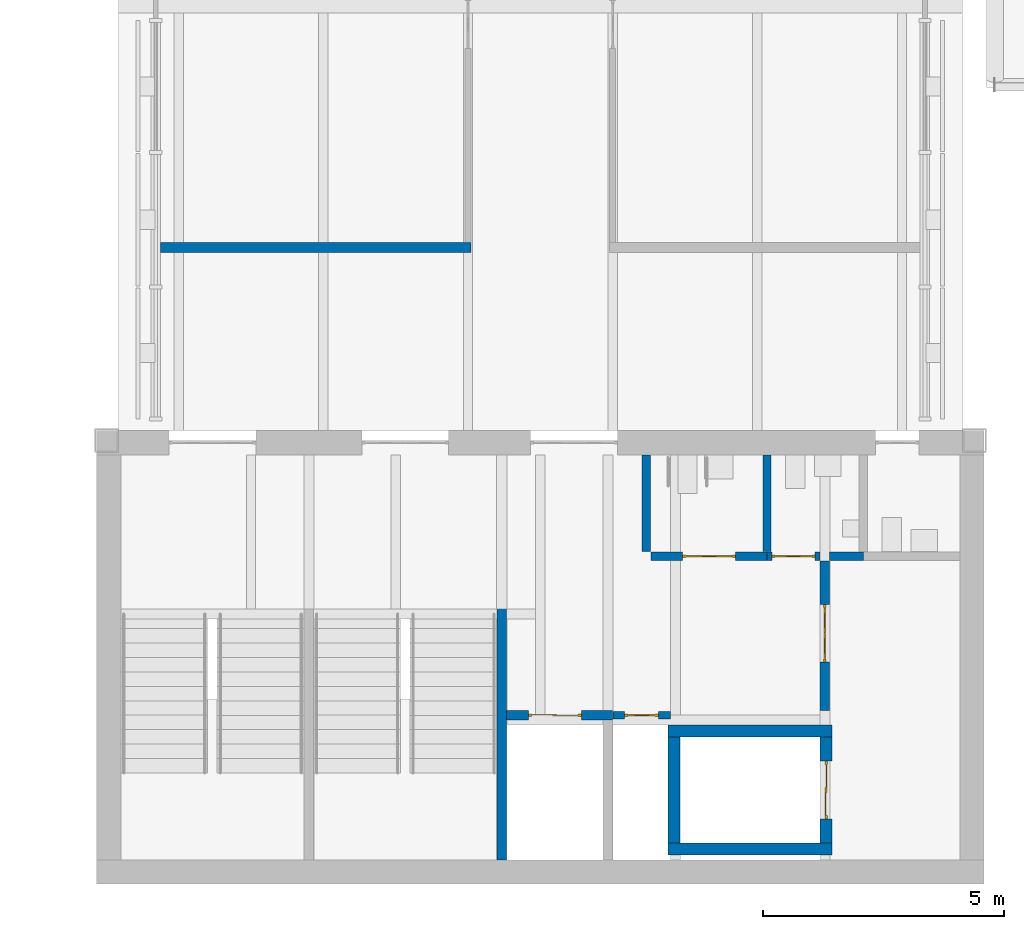
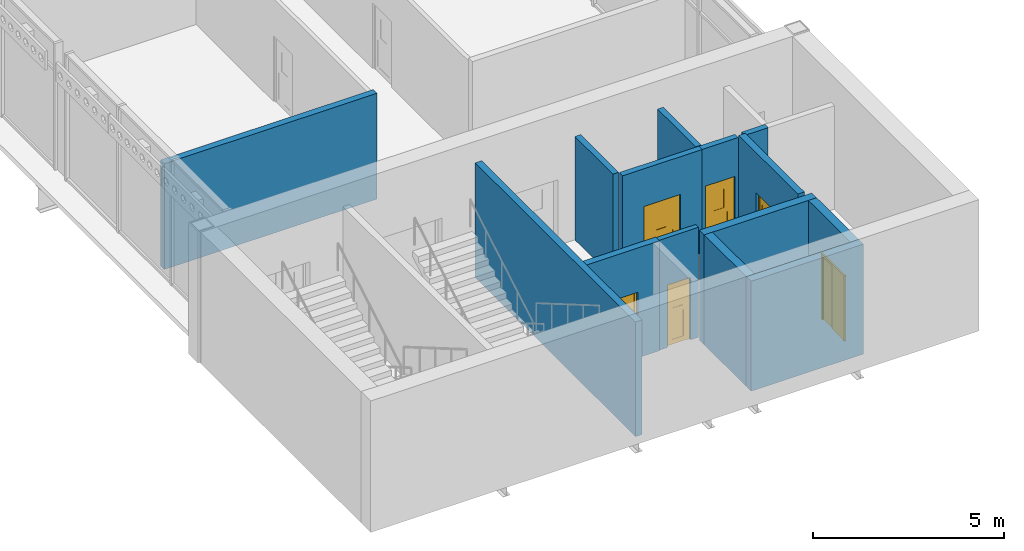
# One storey, part 22 of 54: 14 walls, 6 doors, 6 openings.
"""IFC4 building model written with IfcOpenShell, lengths in metres."""

import ifcopenshell
import ifcopenshell.guid

model = None  # the IFC model being written
_history = None  # IfcOwnerHistory: only IFC2X3 demands one
_inside = {}  # id of a spatial element -> (the spatial element, [elements in it])
_under = {}  # id of a project, library or spatial element -> (it, [spatial elements below it])
_declared = {}  # id of a project -> (the project, [libraries it declares])
_typed = {}  # id of a type object -> (the type object, [elements of that type])
_made_of = {}  # id of a material, layer set ... -> (it, [elements and type objects made of it])


def new_model(schema):
    """Start an empty IFC model of exactly this schema.

    Asked for "IFC4X3", IfcOpenShell would pick the latest addendum, in which some entities
    have other attributes; the version numbers below select the first issue.
    IFC2X3 requires an IfcOwnerHistory on every rooted entity: one is made here for all.
    """
    global model, _history
    if schema == "IFC4X3":
        model = ifcopenshell.file(schema_version=(4, 3, 0, 0))
    else:
        model = ifcopenshell.file(schema=schema)
    _inside.clear()
    _under.clear()
    _declared.clear()
    _typed.clear()
    _made_of.clear()
    _history = None
    if model.schema == "IFC2X3":
        org = make("IfcOrganization", Name="unknown")
        user = make(
            "IfcPersonAndOrganization",
            ThePerson=make("IfcPerson", FamilyName="unknown"),
            TheOrganization=org,
        )
        app = make(
            "IfcApplication",
            ApplicationDeveloper=org,
            Version="unknown",
            ApplicationFullName="unknown",
            ApplicationIdentifier="unknown",
        )
        _history = make(
            "IfcOwnerHistory",
            OwningUser=user,
            OwningApplication=app,
            ChangeAction="ADDED",
            CreationDate=0,
        )
    return model


def make(cls, **values):
    """One entity of the class cls with the attributes given. An attribute that is None is left unset."""
    return model.create_entity(
        cls, **{name: value for name, value in values.items() if value is not None}
    )


def rooted(cls, **values):
    """An entity with a GlobalId (a new one), such as an element, a storey or a relation."""
    return make(cls, GlobalId=ifcopenshell.guid.new(), OwnerHistory=_history, **values)


def si_unit(unit_type, name, prefix=None):
    """IfcSIUnit, for example si_unit("LENGTHUNIT", "METRE", prefix="MILLI")."""
    return make("IfcSIUnit", UnitType=unit_type, Prefix=prefix, Name=name)


def assignment(units):
    """IfcUnitAssignment: the units of a project."""
    return None if units is None else make("IfcUnitAssignment", Units=units)


def point(xyz):
    """IfcCartesianPoint."""
    return None if xyz is None else make("IfcCartesianPoint", Coordinates=xyz)


def direction(xyz):
    """IfcDirection."""
    return None if xyz is None else make("IfcDirection", DirectionRatios=xyz)


def frame(location, z_axis=None, x_axis=None):
    """IfcAxis2Placement3D, a coordinate frame: its origin and axes. An axis left out is left unset."""
    return make(
        "IfcAxis2Placement3D",
        Location=point(location),
        Axis=direction(z_axis),
        RefDirection=direction(x_axis),
    )


def frame_2d(location, x_axis=None):
    """IfcAxis2Placement2D, a coordinate frame in the plane: its origin and x axis."""
    return make(
        "IfcAxis2Placement2D", Location=point(location), RefDirection=direction(x_axis)
    )


def origin():
    """The frame at (0, 0, 0) with its axes left unset."""
    return frame((0.0, 0.0, 0.0))


def place(relative_to, where):
    """IfcLocalPlacement: puts the frame where relative to a parent placement (None: the world)."""
    return make(
        "IfcLocalPlacement", PlacementRelTo=relative_to, RelativePlacement=where
    )


def context(
    kind, dimensions, precision=None, world=None, true_north=None, identifier=None
):
    """IfcGeometricRepresentationContext, for example the 3D "Model" context."""
    return make(
        "IfcGeometricRepresentationContext",
        ContextIdentifier=identifier,
        ContextType=kind,
        CoordinateSpaceDimension=dimensions,
        Precision=precision,
        WorldCoordinateSystem=world,
        TrueNorth=true_north,
    )


def subcontext(parent, identifier, kind, view, scale=None):
    """IfcGeometricRepresentationSubContext, for example "Body" below "Model"."""
    return make(
        "IfcGeometricRepresentationSubContext",
        ContextIdentifier=identifier,
        ContextType=kind,
        ParentContext=parent,
        TargetScale=scale,
        TargetView=view,
    )


def project(units=None, contexts=None):
    """IfcProject with its units and contexts."""
    return rooted(
        "IfcProject",
        Name="project",
        RepresentationContexts=contexts,
        UnitsInContext=assignment(units),
    )


def spatial(cls, under=None, at=None, **own):
    """A site, building, storey or space (cls), placed at a placement, below another one or the project."""
    s = rooted(cls, ObjectPlacement=at, **own)
    if under is not None:
        _under.setdefault(under.id(), (under, []))[1].append(s)
    return s


def polyline(points):
    """IfcPolyline through the points."""
    return make("IfcPolyline", Points=[point(p) for p in points])


def profile(cls, at=None, kind="AREA", **sizes):
    """A parametric profile (cls). Its sizes go by their IFC names, for example OverallWidth=200.0."""
    return make(cls, ProfileType=kind, Position=at, **sizes)


def rectangle(**sizes):
    """IfcRectangleProfileDef."""
    return profile("IfcRectangleProfileDef", **sizes)


def outline(outer, holes=None, kind="AREA"):
    """IfcArbitraryClosedProfileDef: a profile drawn as a closed curve; with holes, ...WithVoids."""
    if holes is None:
        return make("IfcArbitraryClosedProfileDef", ProfileType=kind, OuterCurve=outer)
    return make(
        "IfcArbitraryProfileDefWithVoids",
        ProfileType=kind,
        OuterCurve=outer,
        InnerCurves=holes,
    )


def extrude(swept, where, along, depth):
    """IfcExtrudedAreaSolid: the profile swept, set in the frame where, extruded along a direction by depth."""
    return make(
        "IfcExtrudedAreaSolid",
        SweptArea=swept,
        Position=where,
        ExtrudedDirection=direction(along),
        Depth=depth,
    )


def shape(context_of_items, identifier, shape_type, items):
    """IfcShapeRepresentation: the items that make up one representation, for example the "Body"."""
    return make(
        "IfcShapeRepresentation",
        ContextOfItems=context_of_items,
        RepresentationIdentifier=identifier,
        RepresentationType=shape_type,
        Items=items,
    )


def material(Name=None, Category=None):
    """IfcMaterial."""
    return make("IfcMaterial", Name=Name, Category=Category)


def layer(
    of_material, thickness, ventilated=None, Name=None, Category=None, Priority=None
):
    """IfcMaterialLayer: one layer of a wall or slab, of a material (None: an air gap)."""
    return make(
        "IfcMaterialLayer",
        Material=of_material,
        LayerThickness=thickness,
        IsVentilated=ventilated,
        Name=Name,
        Category=Category,
        Priority=Priority,
    )


def layer_set(layers, Name=None):
    """IfcMaterialLayerSet."""
    return make("IfcMaterialLayerSet", MaterialLayers=layers, LayerSetName=Name)


def made_of(thing, what):
    """Note that an element or type object is made of a material, layer set ...; save() writes the relation."""
    if what is not None:
        _made_of.setdefault(what.id(), (what, []))[1].append(thing)
    return thing


def type_object(cls, material=None, **own):
    """A type object (cls), such as IfcWallType, which elements share."""
    return made_of(rooted(cls, **own), material)


def element(
    cls,
    number,
    at=None,
    inside=None,
    cuts=None,
    type_object=None,
    material=None,
    context=None,
    identifier="Body",
    shape_type=None,
    held_by="IfcProductDefinitionShape",
    body=None,
    shapes=None,
    **own,
):
    """One element of the class cls, such as IfcWall. Its Tag is "e" and its number.

    at: its placement. inside: the storey or other place that contains it. cuts: it is an
    opening in that element (IfcRelVoidsElement). A single representation is given by context,
    identifier, shape_type and body (its items); several are given by shapes. held_by: the class
    of the entity that holds the representations. save() writes the other relations.
    """
    e = rooted(cls, Tag="e%d" % number, ObjectPlacement=at, **own)
    if body is not None:
        shapes = [shape(context, identifier, shape_type, body)]
    if shapes is not None:
        e.Representation = make(held_by, Representations=shapes)
    if inside is not None:
        _inside.setdefault(inside.id(), (inside, []))[1].append(e)
    if cuts is not None:
        rooted(
            "IfcRelVoidsElement", RelatingBuildingElement=cuts, RelatedOpeningElement=e
        )
    if type_object is not None:
        _typed.setdefault(type_object.id(), (type_object, []))[1].append(e)
    return made_of(e, material)


def fill(opening, filler):
    """IfcRelFillsElement: the door or window that sits in an opening."""
    return rooted(
        "IfcRelFillsElement",
        RelatingOpeningElement=opening,
        RelatedBuildingElement=filler,
    )


def aggregate(whole, parts):
    """IfcRelAggregates: a whole, such as a stair, and the parts it consists of."""
    return rooted("IfcRelAggregates", RelatingObject=whole, RelatedObjects=parts)


def save(model, path):
    """Write the relations noted so far, then the file.

    IfcRelAggregates (storeys below a building ...), IfcRelContainedInSpatialStructure (elements
    in a storey), IfcRelDefinesByType, IfcRelAssociatesMaterial and IfcRelDeclares: one each for
    every whole, place, type object, material and project.
    """
    for whole, parts in _under.values():
        aggregate(whole, parts)
    for where, things in _inside.values():
        rooted(
            "IfcRelContainedInSpatialStructure",
            RelatedElements=things,
            RelatingStructure=where,
        )
    for kind, things in _typed.values():
        rooted("IfcRelDefinesByType", RelatedObjects=things, RelatingType=kind)
    for what, things in _made_of.values():
        rooted("IfcRelAssociatesMaterial", RelatedObjects=things, RelatingMaterial=what)
    for by, libraries in _declared.values():
        rooted("IfcRelDeclares", RelatingContext=by, RelatedDefinitions=libraries)
    model.write(path)


model = new_model("IFC4")

# Units and contexts
model_context = context("Model", 3, precision=1e-05, world=origin(), true_north=direction((0.0, 1.0)))
body_context = subcontext(model_context, "Body", "Model", "MODEL_VIEW")
ifc_project = project(units=[si_unit("LENGTHUNIT", "METRE"), si_unit("AREAUNIT", "SQUARE_METRE"), si_unit("VOLUMEUNIT", "CUBIC_METRE"), si_unit("PLANEANGLEUNIT", "RADIAN"), si_unit("MASSUNIT", "GRAM", prefix="KILO")], contexts=[model_context])

# Site, building, storey
site_placement = place(None, origin())
site = spatial("IfcSite", under=ifc_project, at=site_placement, CompositionType="ELEMENT")
building_placement = place(site_placement, origin())
building = spatial("IfcBuilding", under=site, at=building_placement, Name="Baradari Gate Terminus", CompositionType="ELEMENT")
storey_placement = place(building_placement, frame((0.0, 0.0, 15.89990234375)))
storey = spatial("IfcBuildingStorey", under=building, at=storey_placement, Name="L03", CompositionType="ELEMENT", Elevation=15.89990234375)

# Walls
ifc_material_1 = material(Name="Concrete C32/40", Category="concrete")
ifc_layer_1 = layer(ifc_material_1, 0.25)
ifc_layer_set_1 = layer_set([ifc_layer_1], Name="Concrete C32/40")
wall_type_1 = type_object("IfcWallType", Name="Firefighting lift shaft wall SH-2 250 EI 120", PredefinedType="SOLIDWALL", material=ifc_layer_set_1)
for number, where, z_axis, x_axis, name in (
    (1, (83.64990234375, 27.52490234375, 0.0), (0.0, 0.0, 1.0), (1.0, 0.0, 0.0), "Lift shaft wall LGS2 L03 S"),
    (2, (83.64990234375, 29.97509765625, 0.0), (0.0, 0.0, 1.0), (1.0, 0.0, 0.0), "Lift shaft wall LGS2 L03 N"),
):
    element("IfcWall", number, at=place(storey_placement, frame(where, z_axis=z_axis, x_axis=x_axis)), inside=storey, type_object=wall_type_1, Name=name, PredefinedType="SOLIDWALL", context=body_context, shape_type="SweptSolid", body=[
        extrude(rectangle(XDim=3.400146484375, YDim=0.25, at=frame_2d((1.7001953125, 0.0))), origin(), (0.0, 0.0, 1.0), 3.51611328125),
    ])
wall_1_placement = place(storey_placement, frame((83.77490234375, 27.64990234375, 0.0), z_axis=(0.0, 0.0, 1.0), x_axis=(0.0, 1.0, 0.0)))
element("IfcWall", 3, at=wall_1_placement, inside=storey, type_object=wall_type_1, Name="Lift shaft wall LGS2 L03 W", PredefinedType="SOLIDWALL", context=body_context, shape_type="SweptSolid", body=[
    extrude(rectangle(XDim=2.2001953125, YDim=0.25, at=frame_2d((1.10009765625, 0.0))), origin(), (0.0, 0.0, 1.0), 3.51611328125),
])

# Wall, opening, door
wall_2_placement = place(storey_placement, frame((86.925048828125, 27.64990234375, 0.0), z_axis=(0.0, 0.0, 1.0), x_axis=(0.0, 1.0, 0.0)))
wall_2 = element("IfcWall", 4, at=wall_2_placement, inside=storey, type_object=wall_type_1, Name="Lift shaft wall LGS2 L03 E", PredefinedType="SOLIDWALL", context=body_context, shape_type="SweptSolid", body=[
    extrude(rectangle(XDim=2.2001953125, YDim=0.25, at=frame_2d((1.10009765625, 0.0))), origin(), (0.0, 0.0, 1.0), 3.51611328125),
])
opening_1_placement = place(wall_2_placement, frame((0.5, 0.0, 0.0)))
opening_1 = element("IfcOpeningElement", 5, at=opening_1_placement, cuts=wall_2, Name="Opening D03-004", PredefinedType="OPENING", context=body_context, shape_type="SweptSolid", body=[
    extrude(rectangle(XDim=1.199951171875, YDim=2.10009765625, at=frame_2d((0.60009765625, 1.050048828125))), frame((0.0, 0.135009765625, 0.0), z_axis=(0.0, -1.0, 0.0), x_axis=(1.0, 0.0, 0.0)), (0.0, 0.0, 1.0), 0.27001953125),
])
ifc_material_2 = material(Name="Stainless steel 1.4301", Category="steel")
door_type_1 = type_object("IfcDoorType", Name="Lift landing door LD2 1200x2100 E 120", OperationType="SLIDING_TO_LEFT", PredefinedType="DOOR", material=ifc_material_2)
door_1_placement = place(opening_1_placement, origin())
door_1 = element("IfcDoor", 6, at=door_1_placement, inside=storey, type_object=door_type_1, Name="Lift landing door LGS2 L03", OperationType="SLIDING_TO_LEFT", OverallHeight=2.1, OverallWidth=1.2, PredefinedType="DOOR", context=body_context, shape_type="SweptSolid", body=[
    extrude(outline(polyline([(0.0, 0.0), (0.070068359375, 0.0), (0.070068359375, 2.030029296875), (1.1298828125, 2.030029296875), (1.1298828125, 0.0), (1.199951171875, 0.0), (1.199951171875, 2.10009765625), (0.0, 2.10009765625), (0.0, 0.0)])), frame((0.0, 0.02490234375, 0.0), z_axis=(0.0, -1.0, 0.0), x_axis=(1.0, 0.0, 0.0)), (0.0, 0.0, 1.0), 0.050048828125),
    extrude(rectangle(XDim=0.57861328125, YDim=2.01611328125, at=frame_2d((0.36328125, 1.01806640625))), frame((0.0, 0.017822265625, 0.0), z_axis=(0.0, -1.0, 0.0), x_axis=(1.0, 0.0, 0.0)), (0.0, 0.0, 1.0), 0.015869140625),
    extrude(rectangle(XDim=0.57470703125, YDim=2.01611328125, at=frame_2d((0.838623046875, 1.01806640625))), frame((0.0, -0.002197265625, 0.0), z_axis=(0.0, -1.0, 0.0), x_axis=(1.0, 0.0, 0.0)), (0.0, 0.0, 1.0), 0.015869140625),
])
fill(opening_1, door_1)

ifc_material_3 = material(Name="Blockwork wall, fire rated", Category="masonry")
ifc_layer_2 = layer(ifc_material_3, 0.199951171875)
ifc_layer_set_2 = layer_set([ifc_layer_2], Name="Blockwork wall, fire rated")
wall_type_2 = type_object("IfcWallType", Name="Lift shaft wall SH-1 200 EI 120", PredefinedType="SOLIDWALL", material=ifc_layer_set_2)
wall_3_placement = place(storey_placement, frame((80.302001953125, 30.300048828125, 0.0), z_axis=(0.0, 0.0, 1.0), x_axis=(1.0, 0.0, 0.0)))
wall_3 = element("IfcWall", 7, at=wall_3_placement, inside=storey, type_object=wall_type_2, Name="Lift shaft wall LGS1 L03 N", PredefinedType="SOLIDWALL", context=body_context, shape_type="SweptSolid", body=[
    extrude(rectangle(XDim=2.197998046875, YDim=0.199951171875, at=frame_2d((1.09912109375, 0.0))), origin(), (0.0, 0.0, 1.0), 3.51611328125),
])
opening_2_placement = place(wall_3_placement, frame((0.447998046875, 0.0, 0.0)))
opening_2 = element("IfcOpeningElement", 8, at=opening_2_placement, cuts=wall_3, Name="Opening D03-003", PredefinedType="OPENING", context=body_context, shape_type="SweptSolid", body=[
    extrude(rectangle(XDim=1.10009765625, YDim=2.10009765625, at=frame_2d((0.550048828125, 1.050048828125))), frame((0.0, 0.10986328125, 0.0), z_axis=(0.0, -1.0, 0.0), x_axis=(1.0, 0.0, 0.0)), (0.0, 0.0, 1.0), 0.219970703125),
])
ifc_material_4 = material(Name="Stainless steel 1.4301", Category="steel")
door_type_2 = type_object("IfcDoorType", Name="Lift landing door LD 1100x2100 E 120", OperationType="SLIDING_TO_LEFT", PredefinedType="DOOR", material=ifc_material_4)
door_2_placement = place(opening_2_placement, origin())
door_2 = element("IfcDoor", 9, at=door_2_placement, inside=storey, type_object=door_type_2, Name="Lift landing door LGS1 L03", OperationType="SLIDING_TO_LEFT", OverallHeight=2.1, OverallWidth=1.1, PredefinedType="DOOR", context=body_context, shape_type="SweptSolid", body=[
    extrude(outline(polyline([(0.0, 0.0), (0.070068359375, 0.0), (0.070068359375, 2.030029296875), (1.030029296875, 2.030029296875), (1.030029296875, 0.0), (1.10009765625, 0.0), (1.10009765625, 2.10009765625), (0.0, 2.10009765625), (0.0, 0.0)])), frame((0.0, 0.02490234375, 0.0), z_axis=(0.0, -1.0, 0.0), x_axis=(1.0, 0.0, 0.0)), (0.0, 0.0, 1.0), 0.050048828125),
    extrude(rectangle(XDim=0.523681640625, YDim=2.01611328125, at=frame_2d((0.3359375, 1.01806640625))), frame((0.0, 0.017822265625, 0.0), z_axis=(0.0, -1.0, 0.0), x_axis=(1.0, 0.0, 0.0)), (0.0, 0.0, 1.0), 0.015869140625),
    extrude(rectangle(XDim=0.519775390625, YDim=2.01611328125, at=frame_2d((0.76611328125, 1.01806640625))), frame((0.0, -0.002197265625, 0.0), z_axis=(0.0, -1.0, 0.0), x_axis=(1.0, 0.0, 0.0)), (0.0, 0.0, 1.0), 0.015869140625),
])
fill(opening_2, door_2)

ifc_material_5 = material(Name="Blockwork wall, plastered, fire rated", Category="masonry")
ifc_layer_3 = layer(ifc_material_5, 0.199951171875)
ifc_layer_set_3 = layer_set([ifc_layer_3], Name="Blockwork wall, plastered, fire rated")
wall_type_3 = type_object("IfcWallType", Name="Lobby partition PT-4 200 EI 60", PredefinedType="PARTITIONING", material=ifc_layer_set_3)
wall_4_placement = place(storey_placement, frame((86.89990234375, 33.5, 0.0), z_axis=(0.0, 0.0, 1.0), x_axis=(0.0, -1.0, 0.0)))
wall_4 = element("IfcWall", 10, at=wall_4_placement, inside=storey, type_object=wall_type_3, Name="PT-4 partition Lift Lobby / Lift Lobby (Fire-fighting)", PredefinedType="PARTITIONING", context=body_context, shape_type="SweptSolid", body=[
    extrude(rectangle(XDim=3.10009765625, YDim=0.199951171875, at=frame_2d((1.550048828125, 0.0))), origin(), (0.0, 0.0, 1.0), 3.382080078125),
])
opening_3_placement = place(wall_4_placement, frame((0.89990234375, 0.0, 0.0)))
opening_3 = element("IfcOpeningElement", 11, at=opening_3_placement, cuts=wall_4, Name="Opening D03-038", PredefinedType="OPENING", context=body_context, shape_type="SweptSolid", body=[
    extrude(rectangle(XDim=1.199951171875, YDim=2.10009765625, at=frame_2d((0.60009765625, 1.050048828125))), frame((0.0, 0.10986328125, 0.0), z_axis=(0.0, -1.0, 0.0), x_axis=(1.0, 0.0, 0.0)), (0.0, 0.0, 1.0), 0.219970703125),
])
ifc_material_6 = material(Name="Steel S275", Category="steel")
door_type_3 = type_object("IfcDoorType", Name="Fire door FI-1200-FD60S 1200x2100 FD60S", OperationType="DOUBLE_DOOR_SINGLE_SWING", PredefinedType="DOOR", material=ifc_material_6)
door_3_placement = place(opening_3_placement, origin())
door_3 = element("IfcDoor", 12, at=door_3_placement, inside=storey, type_object=door_type_3, Name="Door Lift Lobby (Fire-fighting)", OperationType="DOUBLE_DOOR_SINGLE_SWING", OverallHeight=2.1, OverallWidth=1.2, PredefinedType="DOOR", context=body_context, shape_type="SweptSolid", body=[
    extrude(outline(polyline([(0.0, 0.0), (0.070068359375, 0.0), (0.070068359375, 2.030029296875), (1.1298828125, 2.030029296875), (1.1298828125, 0.0), (1.199951171875, 0.0), (1.199951171875, 2.10009765625), (0.0, 2.10009765625), (0.0, 0.0)])), frame((0.0, 0.02490234375, 0.0), z_axis=(0.0, -1.0, 0.0), x_axis=(1.0, 0.0, 0.0)), (0.0, 0.0, 1.0), 0.050048828125),
    extrude(outline(polyline([(0.073974609375, 0.010009765625), (0.596923828125, 0.010009765625), (0.596923828125, 2.026123046875), (0.073974609375, 2.026123046875), (0.073974609375, 0.010009765625)]), holes=[polyline([(0.178466796875, 0.372802734375), (0.492431640625, 0.372802734375), (0.492431640625, 1.7841796875), (0.178466796875, 1.7841796875), (0.178466796875, 0.372802734375)])]), frame((0.0, 0.017333984375, 0.0), z_axis=(0.0, -1.0, 0.0), x_axis=(1.0, 0.0, 0.0)), (0.0, 0.0, 1.0), 0.034912109375),
    extrude(rectangle(XDim=0.31396484375, YDim=1.411376953125, at=frame_2d((0.33544921875, 1.07861328125))), frame((0.0, 0.008544921875, 0.0), z_axis=(0.0, -1.0, 0.0), x_axis=(1.0, 0.0, 0.0)), (0.0, 0.0, 1.0), 0.017333984375),
    extrude(outline(polyline([(0.60302734375, 0.010009765625), (1.1259765625, 0.010009765625), (1.1259765625, 2.026123046875), (0.60302734375, 2.026123046875), (0.60302734375, 0.010009765625)]), holes=[polyline([(0.70751953125, 0.372802734375), (1.021484375, 0.372802734375), (1.021484375, 1.7841796875), (0.70751953125, 1.7841796875), (0.70751953125, 0.372802734375)])]), frame((0.0, 0.017333984375, 0.0), z_axis=(0.0, -1.0, 0.0), x_axis=(1.0, 0.0, 0.0)), (0.0, 0.0, 1.0), 0.034912109375),
    extrude(rectangle(XDim=0.31396484375, YDim=1.411376953125, at=frame_2d((0.864501953125, 1.07861328125))), frame((0.0, 0.008544921875, 0.0), z_axis=(0.0, -1.0, 0.0), x_axis=(1.0, 0.0, 0.0)), (0.0, 0.0, 1.0), 0.017333984375),
])
fill(opening_3, door_3)

# Wall
wall_5_placement = place(storey_placement, frame((73.125, 40.0, 0.0), z_axis=(0.0, 0.0, 1.0), x_axis=(1.0, 0.0, 0.0)))
element("IfcWall", 13, at=wall_5_placement, inside=storey, type_object=wall_type_3, Name="PT-4 partition Lobby (Gate South) / Gate Office 3.01", PredefinedType="PARTITIONING", context=body_context, shape_type="SweptSolid", body=[
    extrude(rectangle(XDim=6.4375, YDim=0.199951171875, at=frame_2d((3.21875, 0.0))), origin(), (0.0, 0.0, 1.0), 3.382080078125),
])

# Wall, opening, door
ifc_material_7 = material(Name="Blockwork wall, fire rated", Category="masonry")
ifc_layer_4 = layer(ifc_material_7, 0.14990234375)
ifc_layer_set_4 = layer_set([ifc_layer_4], Name="Blockwork wall, fire rated")
wall_type_4 = type_object("IfcWallType", Name="Riser wall RW-1 150 EI 120", PredefinedType="SOLIDWALL", material=ifc_layer_set_4)
wall_6_placement = place(storey_placement, frame((83.699951171875, 30.300048828125, 0.0), z_axis=(0.0, 0.0, 1.0), x_axis=(-1.0, 0.0, 0.0)))
wall_6 = element("IfcWall", 14, at=wall_6_placement, inside=storey, type_object=wall_type_4, Name="RW-1 partition Lift Lobby / Riser", PredefinedType="SOLIDWALL", context=body_context, shape_type="SweptSolid", body=[
    extrude(rectangle(XDim=1.197998046875, YDim=0.14990234375, at=frame_2d((0.59912109375, 0.0))), origin(), (0.0, 0.0, 1.0), 3.51611328125),
])
opening_4_placement = place(wall_6_placement, frame((0.25, 0.0, 0.0)))
opening_4 = element("IfcOpeningElement", 15, at=opening_4_placement, cuts=wall_6, Name="Opening D03-039", PredefinedType="OPENING", context=body_context, shape_type="SweptSolid", body=[
    extrude(rectangle(XDim=0.699951171875, YDim=2.0, at=frame_2d((0.35009765625, 1.0))), frame((0.0, 0.0849609375, 0.0), z_axis=(0.0, -1.0, 0.0), x_axis=(1.0, 0.0, 0.0)), (0.0, 0.0, 1.0), 0.169921875),
])
ifc_material_8 = material(Name="Steel S275", Category="steel")
door_type_4 = type_object("IfcDoorType", Name="Fire door FI-700x2000-FD90S 700x2000 FD90S", OperationType="SINGLE_SWING_LEFT", PredefinedType="DOOR", material=ifc_material_8)
door_4_placement = place(opening_4_placement, origin())
door_4 = element("IfcDoor", 16, at=door_4_placement, inside=storey, type_object=door_type_4, Name="Door Riser", OperationType="SINGLE_SWING_RIGHT", OverallHeight=2.0, OverallWidth=0.7, PredefinedType="DOOR", context=body_context, shape_type="SweptSolid", body=[
    extrude(outline(polyline([(0.0, 0.0), (0.070068359375, 0.0), (0.070068359375, 1.929931640625), (0.6298828125, 1.929931640625), (0.6298828125, 0.0), (0.699951171875, 0.0), (0.699951171875, 2.0), (0.0, 2.0), (0.0, 0.0)])), frame((0.0, 0.02490234375, 0.0), z_axis=(0.0, -1.0, 0.0), x_axis=(1.0, 0.0, 0.0)), (0.0, 0.0, 1.0), 0.050048828125),
    extrude(outline(polyline([(0.073974609375, 0.010009765625), (0.6259765625, 0.010009765625), (0.6259765625, 1.926025390625), (0.073974609375, 1.926025390625), (0.073974609375, 0.010009765625)]), holes=[polyline([(0.184326171875, 0.159912109375), (0.515625, 0.159912109375), (0.515625, 1.010009765625), (0.184326171875, 1.010009765625), (0.184326171875, 0.159912109375)]), polyline([(0.199951171875, 1.159912109375), (0.5, 1.159912109375), (0.5, 1.760009765625), (0.199951171875, 1.760009765625), (0.199951171875, 1.159912109375)])]), frame((0.0, 0.017333984375, 0.0), z_axis=(0.0, -1.0, 0.0), x_axis=(1.0, 0.0, 0.0)), (0.0, 0.0, 1.0), 0.034912109375),
    extrude(rectangle(XDim=0.331298828125, YDim=0.85009765625, at=frame_2d((0.35009765625, 0.5849609375))), frame((0.0, 0.008544921875, 0.0), z_axis=(0.0, -1.0, 0.0), x_axis=(1.0, 0.0, 0.0)), (0.0, 0.0, 1.0), 0.017333984375),
    extrude(rectangle(XDim=0.300048828125, YDim=0.60009765625, at=frame_2d((0.35009765625, 1.4599609375))), frame((0.0, 0.005859375, 0.0), z_axis=(0.0, -1.0, 0.0), x_axis=(1.0, 0.0, 0.0)), (0.0, 0.0, 1.0), 0.011962890625),
])
fill(opening_4, door_4)

# Walls
ifc_material_9 = material(Name="Concrete C40/50", Category="concrete")
ifc_layer_5 = layer(ifc_material_9, 0.199951171875)
ifc_layer_set_5 = layer_set([ifc_layer_5], Name="Concrete C40/50")
wall_type_5 = type_object("IfcWallType", Name="Stair enclosure wall SE-4 200 EI 120", PredefinedType="SOLIDWALL", material=ifc_layer_set_5)
wall_7_placement = place(storey_placement, frame((80.199951171875, 27.302001953125, -0.14990234375), z_axis=(0.0, 0.0, 1.0), x_axis=(0.0, 1.0, 0.0)))
element("IfcWall", 17, at=wall_7_placement, inside=storey, type_object=wall_type_5, Name="Stair enclosure wall SE-4 ST-GS2 L03 E", PredefinedType="SOLIDWALL", context=body_context, shape_type="SweptSolid", body=[
    extrude(rectangle(XDim=8.39599609375, YDim=0.199951171875, at=frame_2d((4.197998046875, 0.0))), origin(), (0.0, 0.0, 1.0), 3.666015625),
])
ifc_material_10 = material(Name="Blockwork wall, tiled both faces", Category="masonry")
ifc_layer_6 = layer(ifc_material_10, 0.175048828125)
ifc_layer_set_6 = layer_set([ifc_layer_6], Name="Blockwork wall, tiled both faces")
wall_type_6 = type_object("IfcWallType", Name="WC wet wall PT-6 175 EI 60", PredefinedType="PARTITIONING", material=ifc_layer_set_6)
wall_8_placement = place(storey_placement, frame((83.199951171875, 35.697998046875, 0.0), z_axis=(0.0, 0.0, 1.0), x_axis=(0.0, -1.0, 0.0)))
element("IfcWall", 18, at=wall_8_placement, inside=storey, type_object=wall_type_6, Name="PT-6 partition Lift Lobby / Accessible WC", PredefinedType="PARTITIONING", context=body_context, shape_type="SweptSolid", body=[
    extrude(rectangle(XDim=1.998046875, YDim=0.175048828125, at=frame_2d((0.9990234375, 0.0))), origin(), (0.0, 0.0, 1.0), 3.30712890625),
])

# Wall, opening, door
wall_9_placement = place(storey_placement, frame((83.300048828125, 33.60009765625, 0.0), z_axis=(0.0, 0.0, 1.0), x_axis=(1.0, 0.0, 0.0)))
wall_9 = element("IfcWall", 19, at=wall_9_placement, inside=storey, type_object=wall_type_6, Name="PT-6 partition Lift Lobby / Accessible WC", PredefinedType="PARTITIONING", context=body_context, shape_type="SweptSolid", body=[
    extrude(rectangle(XDim=2.39990234375, YDim=0.175048828125, at=frame_2d((1.199951171875, 0.0))), origin(), (0.0, 0.0, 1.0), 3.30712890625),
])
opening_5_placement = place(wall_9_placement, frame((0.64990234375, 0.0, 0.0)))
opening_5 = element("IfcOpeningElement", 20, at=opening_5_placement, cuts=wall_9, Name="Opening D03-040", PredefinedType="OPENING", context=body_context, shape_type="SweptSolid", body=[
    extrude(rectangle(XDim=1.10009765625, YDim=2.10009765625, at=frame_2d((0.550048828125, 1.050048828125))), frame((0.0, 0.097412109375, 0.0), z_axis=(0.0, -1.0, 0.0), x_axis=(1.0, 0.0, 0.0)), (0.0, 0.0, 1.0), 0.195068359375),
])
ifc_material_11 = material(Name="Steel S275", Category="steel")
door_type_5 = type_object("IfcDoorType", Name="Fire door FI-1100-FD60S 1100x2100 FD60S", OperationType="SINGLE_SWING_LEFT", PredefinedType="DOOR", material=ifc_material_11)
door_5_placement = place(opening_5_placement, origin())
door_5 = element("IfcDoor", 21, at=door_5_placement, inside=storey, type_object=door_type_5, Name="Door Accessible WC", OperationType="SINGLE_SWING_LEFT", OverallHeight=2.1, OverallWidth=1.1, PredefinedType="DOOR", context=body_context, shape_type="SweptSolid", body=[
    extrude(outline(polyline([(0.0, 0.0), (0.070068359375, 0.0), (0.070068359375, 2.030029296875), (1.030029296875, 2.030029296875), (1.030029296875, 0.0), (1.10009765625, 0.0), (1.10009765625, 2.10009765625), (0.0, 2.10009765625), (0.0, 0.0)])), frame((0.0, 0.02490234375, 0.0), z_axis=(0.0, -1.0, 0.0), x_axis=(1.0, 0.0, 0.0)), (0.0, 0.0, 1.0), 0.050048828125),
    extrude(outline(polyline([(0.073974609375, 0.010009765625), (1.026123046875, 0.010009765625), (1.026123046875, 2.026123046875), (0.073974609375, 2.026123046875), (0.073974609375, 0.010009765625)]), holes=[polyline([(0.194091796875, 0.159912109375), (0.906005859375, 0.159912109375), (0.906005859375, 1.010009765625), (0.194091796875, 1.010009765625), (0.194091796875, 0.159912109375)]), polyline([(0.400146484375, 1.159912109375), (0.699951171875, 1.159912109375), (0.699951171875, 1.760009765625), (0.400146484375, 1.760009765625), (0.400146484375, 1.159912109375)])]), frame((0.0, 0.017333984375, 0.0), z_axis=(0.0, -1.0, 0.0), x_axis=(1.0, 0.0, 0.0)), (0.0, 0.0, 1.0), 0.034912109375),
    extrude(rectangle(XDim=0.7119140625, YDim=0.85009765625, at=frame_2d((0.550048828125, 0.5849609375))), frame((0.0, 0.008544921875, 0.0), z_axis=(0.0, -1.0, 0.0), x_axis=(1.0, 0.0, 0.0)), (0.0, 0.0, 1.0), 0.017333984375),
    extrude(rectangle(XDim=0.2998046875, YDim=0.60009765625, at=frame_2d((0.550048828125, 1.4599609375))), frame((0.0, 0.005859375, 0.0), z_axis=(0.0, -1.0, 0.0), x_axis=(1.0, 0.0, 0.0)), (0.0, 0.0, 1.0), 0.011962890625),
])
fill(opening_5, door_5)

wall_10_placement = place(storey_placement, frame((85.699951171875, 33.60009765625, 0.0), z_axis=(0.0, 0.0, 1.0), x_axis=(1.0, 0.0, 0.0)))
wall_10 = element("IfcWall", 22, at=wall_10_placement, inside=storey, type_object=wall_type_6, Name="PT-6 partition Lift Lobby / Male WC", PredefinedType="PARTITIONING", context=body_context, shape_type="SweptSolid", body=[
    extrude(rectangle(XDim=1.10009765625, YDim=0.175048828125, at=frame_2d((0.550048828125, 0.0))), origin(), (0.0, 0.0, 1.0), 3.30712890625),
])
opening_6_placement = place(wall_10_placement, frame((0.10009765625, 0.0, 0.0)))
opening_6 = element("IfcOpeningElement", 23, at=opening_6_placement, cuts=wall_10, Name="Opening D03-041", PredefinedType="OPENING", context=body_context, shape_type="SweptSolid", body=[
    extrude(rectangle(XDim=0.89990234375, YDim=2.10009765625, at=frame_2d((0.449951171875, 1.050048828125))), frame((0.0, 0.097412109375, 0.0), z_axis=(0.0, -1.0, 0.0), x_axis=(1.0, 0.0, 0.0)), (0.0, 0.0, 1.0), 0.195068359375),
])
ifc_material_12 = material(Name="Steel S275", Category="steel")
door_type_6 = type_object("IfcDoorType", Name="Fire door FI-900-FD60S 900x2100 FD60S", OperationType="SINGLE_SWING_LEFT", PredefinedType="DOOR", material=ifc_material_12)
door_6_placement = place(opening_6_placement, origin())
door_6 = element("IfcDoor", 24, at=door_6_placement, inside=storey, type_object=door_type_6, Name="Door Male WC", OperationType="SINGLE_SWING_LEFT", OverallHeight=2.1, OverallWidth=0.9, PredefinedType="DOOR", context=body_context, shape_type="SweptSolid", body=[
    extrude(outline(polyline([(0.0, 0.0), (0.070068359375, 0.0), (0.070068359375, 2.030029296875), (0.829833984375, 2.030029296875), (0.829833984375, 0.0), (0.89990234375, 0.0), (0.89990234375, 2.10009765625), (0.0, 2.10009765625), (0.0, 0.0)])), frame((0.0, 0.02490234375, 0.0), z_axis=(0.0, -1.0, 0.0), x_axis=(1.0, 0.0, 0.0)), (0.0, 0.0, 1.0), 0.050048828125),
    extrude(outline(polyline([(0.073974609375, 0.010009765625), (0.825927734375, 0.010009765625), (0.825927734375, 2.026123046875), (0.073974609375, 2.026123046875), (0.073974609375, 0.010009765625)]), holes=[polyline([(0.194091796875, 0.159912109375), (0.705810546875, 0.159912109375), (0.705810546875, 1.010009765625), (0.194091796875, 1.010009765625), (0.194091796875, 0.159912109375)]), polyline([(0.300048828125, 1.159912109375), (0.599853515625, 1.159912109375), (0.599853515625, 1.760009765625), (0.300048828125, 1.760009765625), (0.300048828125, 1.159912109375)])]), frame((0.0, 0.017333984375, 0.0), z_axis=(0.0, -1.0, 0.0), x_axis=(1.0, 0.0, 0.0)), (0.0, 0.0, 1.0), 0.034912109375),
    extrude(rectangle(XDim=0.51171875, YDim=0.85009765625, at=frame_2d((0.449951171875, 0.5849609375))), frame((0.0, 0.008544921875, 0.0), z_axis=(0.0, -1.0, 0.0), x_axis=(1.0, 0.0, 0.0)), (0.0, 0.0, 1.0), 0.017333984375),
    extrude(rectangle(XDim=0.2998046875, YDim=0.60009765625, at=frame_2d((0.449951171875, 1.4599609375))), frame((0.0, 0.005859375, 0.0), z_axis=(0.0, -1.0, 0.0), x_axis=(1.0, 0.0, 0.0)), (0.0, 0.0, 1.0), 0.011962890625),
])
fill(opening_6, door_6)

# Walls
wall_11_placement = place(storey_placement, frame((87.0, 33.60009765625, 0.0), z_axis=(0.0, 0.0, 1.0), x_axis=(1.0, 0.0, 0.0)))
element("IfcWall", 25, at=wall_11_placement, inside=storey, type_object=wall_type_6, Name="PT-6 partition Lift Lobby (Fire-fighting) / Male WC", PredefinedType="PARTITIONING", context=body_context, shape_type="SweptSolid", body=[
    extrude(rectangle(XDim=0.699951171875, YDim=0.175048828125, at=frame_2d((0.35009765625, 0.0))), origin(), (0.0, 0.0, 1.0), 3.30712890625),
])
wall_12_placement = place(storey_placement, frame((85.699951171875, 35.697998046875, 0.0), z_axis=(0.0, 0.0, 1.0), x_axis=(0.0, -1.0, 0.0)))
element("IfcWall", 26, at=wall_12_placement, inside=storey, type_object=wall_type_6, Name="PT-6 partition Accessible WC / Male WC", PredefinedType="PARTITIONING", context=body_context, shape_type="SweptSolid", body=[
    extrude(rectangle(XDim=1.998046875, YDim=0.175048828125, at=frame_2d((0.9990234375, 0.0))), origin(), (0.0, 0.0, 1.0), 3.30712890625),
])

save(model, "model.ifc")
